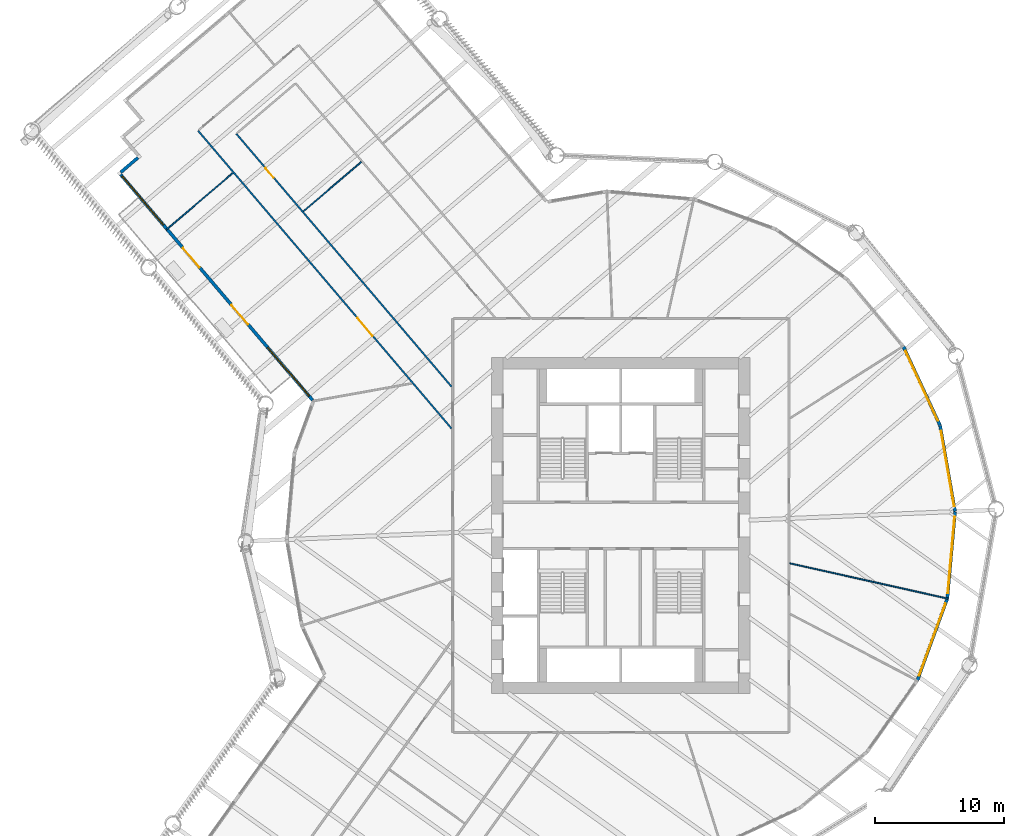
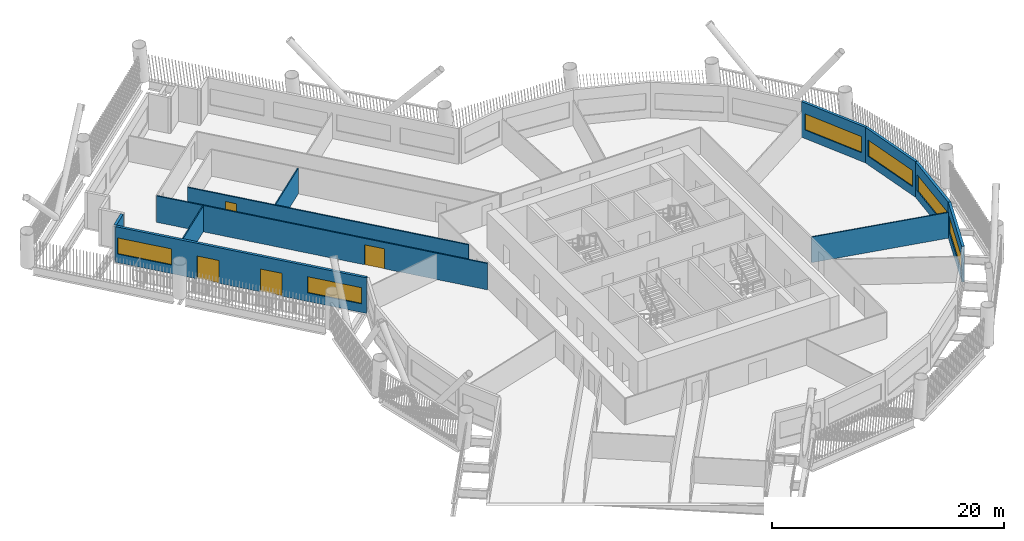
# One storey, part 6 of 21: 11 walls, 6 windows, 4 doors, 10 openings.
"""IFC4 building model written with IfcOpenShell, lengths in metres."""

from ifc_helpers import new_model, si_unit, direction, frame, frame_2d, origin, place, context, subcontext, project, spatial, rectangle, extrude, material, layer, layer_set, type_object, element, fill, save


model = new_model("IFC4")

# Units and contexts
model_context = context("Model", 3, precision=1e-05, world=origin(), true_north=direction((0.0, 1.0)))
body_context = subcontext(model_context, "Body", "Model", "MODEL_VIEW")
ifc_project = project(units=[si_unit("LENGTHUNIT", "METRE"), si_unit("AREAUNIT", "SQUARE_METRE"), si_unit("VOLUMEUNIT", "CUBIC_METRE"), si_unit("PLANEANGLEUNIT", "RADIAN"), si_unit("MASSUNIT", "GRAM", prefix="KILO")], contexts=[model_context])

# Site, building, storey
site_placement = place(None, origin())
site = spatial("IfcSite", under=ifc_project, at=site_placement, CompositionType="ELEMENT")
building_placement = place(site_placement, origin())
building = spatial("IfcBuilding", under=site, at=building_placement, Name="Tarsis Ring Headquarters", CompositionType="ELEMENT")
storey_placement = place(building_placement, frame((0.0, 0.0, 47.800048828125)))
storey = spatial("IfcBuildingStorey", under=building, at=storey_placement, Name="L09", CompositionType="ELEMENT", Elevation=47.800048828125)

# Walls
ifc_material_1 = material(Name="Gypsum board on steel studs", Category="steel")
ifc_layer_1 = layer(ifc_material_1, 0.10009765625)
ifc_layer_set_1 = layer_set([ifc_layer_1], Name="FL partition 100 unrated")
wall_type_1 = type_object("IfcWallType", Name="FL partition 100 unrated", PredefinedType="PARTITIONING", material=ifc_layer_set_1)
wall_1_placement = place(storey_placement, frame((13.068359375, -2.921142578125, 0.0), z_axis=(0.0, 0.0, 1.0), x_axis=(0.975916396905, -0.218144874455, 0.0)))
element("IfcWall", 1, at=wall_1_placement, inside=storey, type_object=wall_type_1, Name="Partition PW3", PredefinedType="PARTITIONING", context=body_context, shape_type="SweptSolid", body=[
    extrude(rectangle(XDim=12.55712890625, YDim=0.10009765625, at=frame_2d((6.278564453125, 0.0))), origin(), (0.0, 0.0, 1.0), 2.699951171875),
])
wall_2_placement = place(storey_placement, frame((-35.161376953125, 22.87646484375, 0.0), z_axis=(0.0, 0.0, 1.0), x_axis=(0.761553022761, 0.648102610335, 0.0)))
element("IfcWall", 2, at=wall_2_placement, inside=storey, type_object=wall_type_1, Name="Partition PW3", PredefinedType="PARTITIONING", context=body_context, shape_type="SweptSolid", body=[
    extrude(rectangle(XDim=6.77001953125, YDim=0.10009765625, at=frame_2d((3.385009765625, 0.0))), origin(), (0.0, 0.0, 1.0), 2.699951171875),
])
wall_3_placement = place(storey_placement, frame((-24.547119140625, 24.306640625, 0.0), z_axis=(0.0, 0.0, 1.0), x_axis=(0.761526308805, 0.648133999261, 0.0)))
element("IfcWall", 3, at=wall_3_placement, inside=storey, type_object=wall_type_1, Name="Partition PW3", PredefinedType="PARTITIONING", context=body_context, shape_type="SweptSolid", body=[
    extrude(rectangle(XDim=5.880126953125, YDim=0.10009765625, at=frame_2d((2.93994140625, 0.0))), origin(), (0.0, 0.0, 1.0), 2.699951171875),
])

# Wall, opening, door
ifc_layer_2 = layer(ifc_material_1, 0.125)
ifc_layer_set_2 = layer_set([ifc_layer_2], Name="FL partition 125 EI 60 H2770")
wall_type_2 = type_object("IfcWallType", Name="FL partition 125 EI 60 H2770", PredefinedType="PARTITIONING", material=ifc_layer_set_2)
wall_4_placement = place(storey_placement, frame((-32.700439453125, 30.53857421875, 0.0), z_axis=(0.0, 0.0, 1.0), x_axis=(0.648121119497, -0.761537270566, 0.0)))
wall_4 = element("IfcWall", 4, at=wall_4_placement, inside=storey, type_object=wall_type_2, Name="Partition PW1", PredefinedType="PARTITIONING", context=body_context, shape_type="SweptSolid", body=[
    extrude(rectangle(XDim=30.246337890625, YDim=0.125, at=frame_2d((15.123046875, 0.0))), origin(), (0.0, 0.0, 1.0), 2.77001953125),
])
opening_1_placement = place(wall_4_placement, frame((19.0361328125, 0.0, 0.0)))
opening_1 = element("IfcOpeningElement", 5, at=opening_1_placement, cuts=wall_4, Name="Opening D09.14", PredefinedType="OPENING", context=body_context, shape_type="SweptSolid", body=[
    extrude(rectangle(XDim=1.800048828125, YDim=2.10009765625, at=frame_2d((0.89990234375, 1.050048828125))), frame((0.0, 0.072509765625, 0.0), z_axis=(0.0, -1.0, 0.0), x_axis=(1.0, 0.0, 0.0)), (0.0, 0.0, 1.0), 0.14501953125),
])
ifc_material_2 = material(Name="Fire-rated timber door leaf in steel frame", Category="steel")
door_type_1 = type_object("IfcDoorType", Name="FL door FD60-1800", OperationType="DOUBLE_DOOR_SINGLE_SWING", PredefinedType="DOOR", material=ifc_material_2)
door_1_placement = place(opening_1_placement, origin())
door_1 = element("IfcDoor", 6, at=door_1_placement, inside=storey, type_object=door_type_1, Name="Door D09.14", OperationType="DOUBLE_DOOR_SINGLE_SWING", OverallHeight=2.10009765625, OverallWidth=1.800048828125, PredefinedType="DOOR", context=body_context, shape_type="SweptSolid", body=[
    extrude(rectangle(XDim=1.800048828125, YDim=2.10009765625, at=frame_2d((0.89990234375, 1.050048828125))), frame((0.0, 0.02490234375, 0.0), z_axis=(0.0, -1.0, 0.0), x_axis=(1.0, 0.0, 0.0)), (0.0, 0.0, 1.0), 0.050048828125),
])
fill(opening_1, door_1)

wall_5_placement = place(storey_placement, frame((-29.739990234375, 30.30029296875, 0.0), z_axis=(0.0, 0.0, 1.0), x_axis=(0.648121327786, -0.761537093298, 0.0)))
wall_5 = element("IfcWall", 7, at=wall_5_placement, inside=storey, type_object=wall_type_2, Name="Partition PW1", PredefinedType="PARTITIONING", context=body_context, shape_type="SweptSolid", body=[
    extrude(rectangle(XDim=25.678466796875, YDim=0.125, at=frame_2d((12.83935546875, 0.0))), origin(), (0.0, 0.0, 1.0), 2.77001953125),
])
opening_2_placement = place(wall_5_placement, frame((3.4658203125, 0.0, 0.0)))
opening_2 = element("IfcOpeningElement", 8, at=opening_2_placement, cuts=wall_5, Name="Opening D09.16", PredefinedType="OPENING", context=body_context, shape_type="SweptSolid", body=[
    extrude(rectangle(XDim=1.0, YDim=2.10009765625, at=frame_2d((0.5, 1.050048828125))), frame((0.0, 0.072509765625, 0.0), z_axis=(0.0, -1.0, 0.0), x_axis=(1.0, 0.0, 0.0)), (0.0, 0.0, 1.0), 0.14501953125),
])
door_type_2 = type_object("IfcDoorType", Name="FL door FD60-1000", OperationType="NOTDEFINED", PredefinedType="DOOR", material=ifc_material_2)
door_2_placement = place(opening_2_placement, origin())
door_2 = element("IfcDoor", 9, at=door_2_placement, inside=storey, type_object=door_type_2, Name="Door D09.16", OperationType="SINGLE_SWING_LEFT", OverallHeight=2.10009765625, OverallWidth=1.0, PredefinedType="DOOR", context=body_context, shape_type="SweptSolid", body=[
    extrude(rectangle(XDim=1.0, YDim=2.10009765625, at=frame_2d((0.5, 1.050048828125))), frame((0.0, 0.02490234375, 0.0), z_axis=(0.0, -1.0, 0.0), x_axis=(1.0, 0.0, 0.0)), (0.0, 0.0, 1.0), 0.050048828125),
])
fill(opening_2, door_2)

# Wall, openings, doors, windows
ifc_material_3 = material(Name="Terracotta clad insulated panel wall", Category="masonry")
ifc_layer_3 = layer(ifc_material_3, 0.25)
ifc_layer_set_3 = layer_set([ifc_layer_3], Name="Facade wall terracotta panel 250")
wall_type_3 = type_object("IfcWallType", Name="Facade wall terracotta panel 250", PredefinedType="STANDARD", material=ifc_layer_set_3)
wall_6_placement = place(storey_placement, frame((-38.69482421875, 27.14404296875, 0.0), z_axis=(0.0, 0.0, 1.0), x_axis=(0.648118235257, -0.761539725245, 0.0)))
wall_6 = element("IfcWall", 10, at=wall_6_placement, inside=storey, type_object=wall_type_3, Name="External wall L09-01", PredefinedType="STANDARD", context=body_context, shape_type="SweptSolid", body=[
    extrude(rectangle(XDim=22.922119140625, YDim=0.25, at=frame_2d((11.4609375, 0.0))), origin(), (0.0, 0.0, 1.0), 3.739990234375),
])
opening_3_placement = place(wall_6_placement, frame((0.17138671875, 0.0, 0.89990234375)))
opening_3 = element("IfcOpeningElement", 11, at=opening_3_placement, cuts=wall_6, Name="Opening WN05", PredefinedType="OPENING", context=body_context, shape_type="SweptSolid", body=[
    extrude(rectangle(XDim=4.949951171875, YDim=1.699951171875, at=frame_2d((2.47509765625, 0.85009765625))), frame((0.0, 0.135009765625, 0.0), z_axis=(0.0, -1.0, 0.0), x_axis=(1.0, 0.0, 0.0)), (0.0, 0.0, 1.0), 0.27001953125),
])
opening_4_placement = place(wall_6_placement, frame((7.439453125, 0.0, 0.0)))
opening_4 = element("IfcOpeningElement", 12, at=opening_4_placement, cuts=wall_6, Name="Opening L09-BD01", PredefinedType="OPENING", context=body_context, shape_type="SweptSolid", body=[
    extrude(rectangle(XDim=2.0, YDim=2.39990234375, at=frame_2d((1.0, 1.199951171875))), frame((0.0, 0.135009765625, 0.0), z_axis=(0.0, -1.0, 0.0), x_axis=(1.0, 0.0, 0.0)), (0.0, 0.0, 1.0), 0.27001953125),
])
opening_5_placement = place(wall_6_placement, frame((13.232421875, 0.0, 0.0)))
opening_5 = element("IfcOpeningElement", 13, at=opening_5_placement, cuts=wall_6, Name="Opening L09-BD02", PredefinedType="OPENING", context=body_context, shape_type="SweptSolid", body=[
    extrude(rectangle(XDim=2.0, YDim=2.39990234375, at=frame_2d((1.0, 1.199951171875))), frame((0.0, 0.135009765625, 0.0), z_axis=(0.0, -1.0, 0.0), x_axis=(1.0, 0.0, 0.0)), (0.0, 0.0, 1.0), 0.27001953125),
])
opening_6_placement = place(wall_6_placement, frame((17.550537109375, 0.0, 0.89990234375)))
opening_6 = element("IfcOpeningElement", 14, at=opening_6_placement, cuts=wall_6, Name="Opening WN05", PredefinedType="OPENING", context=body_context, shape_type="SweptSolid", body=[
    extrude(rectangle(XDim=4.949951171875, YDim=1.699951171875, at=frame_2d((2.47509765625, 0.85009765625))), frame((0.0, 0.135009765625, 0.0), z_axis=(0.0, -1.0, 0.0), x_axis=(1.0, 0.0, 0.0)), (0.0, 0.0, 1.0), 0.27001953125),
])
ifc_material_4 = material(Name="Aluminium framed double glazing", Category="aluminium")
door_type_3 = type_object("IfcDoorType", Name="Balcony sliding door 2000 x 2400", OperationType="SLIDING_TO_LEFT", PredefinedType="DOOR", material=ifc_material_4)
door_3_placement = place(opening_4_placement, origin())
door_3 = element("IfcDoor", 15, at=door_3_placement, inside=storey, type_object=door_type_3, Name="Door L09-BD01", OperationType="SINGLE_SWING_LEFT", OverallHeight=2.39990234375, OverallWidth=2.0, PredefinedType="DOOR", context=body_context, shape_type="SweptSolid", body=[
    extrude(rectangle(XDim=2.0, YDim=2.39990234375, at=frame_2d((1.0, 1.199951171875))), frame((0.0, 0.02490234375, 0.0), z_axis=(0.0, -1.0, 0.0), x_axis=(1.0, 0.0, 0.0)), (0.0, 0.0, 1.0), 0.050048828125),
])
fill(opening_4, door_3)
door_4_placement = place(opening_5_placement, origin())
door_4 = element("IfcDoor", 16, at=door_4_placement, inside=storey, type_object=door_type_3, Name="Door L09-BD02", OperationType="SINGLE_SWING_LEFT", OverallHeight=2.39990234375, OverallWidth=2.0, PredefinedType="DOOR", context=body_context, shape_type="SweptSolid", body=[
    extrude(rectangle(XDim=2.0, YDim=2.39990234375, at=frame_2d((1.0, 1.199951171875))), frame((0.0, 0.02490234375, 0.0), z_axis=(0.0, -1.0, 0.0), x_axis=(1.0, 0.0, 0.0)), (0.0, 0.0, 1.0), 0.050048828125),
])
fill(opening_5, door_4)
window_type_1 = type_object("IfcWindowType", Name="Facade window 4950 x 1700", PartitioningType="SINGLE_PANEL", PredefinedType="WINDOW", material=ifc_material_4)
window_1_placement = place(opening_3_placement, origin())
window_1 = element("IfcWindow", 17, at=window_1_placement, inside=storey, type_object=window_type_1, Name="Window L09-01.1", OverallHeight=1.699951171875, OverallWidth=4.949951171875, PartitioningType="SINGLE_PANEL", PredefinedType="WINDOW", context=body_context, shape_type="SweptSolid", body=[
    extrude(rectangle(XDim=4.949951171875, YDim=1.699951171875, at=frame_2d((2.47509765625, 0.85009765625))), frame((0.0, 0.030029296875, 0.0), z_axis=(0.0, -1.0, 0.0), x_axis=(1.0, 0.0, 0.0)), (0.0, 0.0, 1.0), 0.06005859375),
])
fill(opening_3, window_1)
window_2_placement = place(opening_6_placement, origin())
window_2 = element("IfcWindow", 18, at=window_2_placement, inside=storey, type_object=window_type_1, Name="Window L09-01.4", OverallHeight=1.699951171875, OverallWidth=4.949951171875, PartitioningType="SINGLE_PANEL", PredefinedType="WINDOW", context=body_context, shape_type="SweptSolid", body=[
    extrude(rectangle(XDim=4.949951171875, YDim=1.699951171875, at=frame_2d((2.47509765625, 0.85009765625))), frame((0.0, 0.030029296875, 0.0), z_axis=(0.0, -1.0, 0.0), x_axis=(1.0, 0.0, 0.0)), (0.0, 0.0, 1.0), 0.06005859375),
])
fill(opening_6, window_2)

# Wall, opening, window
wall_7_placement = place(storey_placement, frame((22.935302734375, -11.971923828125, 0.0), z_axis=(0.0, 0.0, 1.0), x_axis=(0.343640910875, 0.939101125744, 0.0)))
wall_7 = element("IfcWall", 19, at=wall_7_placement, inside=storey, type_object=wall_type_3, Name="External wall L09-22", PredefinedType="STANDARD", context=body_context, shape_type="SweptSolid", body=[
    extrude(rectangle(XDim=6.7216796875, YDim=0.25, at=frame_2d((3.36083984375, 0.0))), origin(), (0.0, 0.0, 1.0), 3.739990234375),
])
opening_7_placement = place(wall_7_placement, frame((0.3857421875, 0.0, 0.89990234375)))
opening_7 = element("IfcOpeningElement", 20, at=opening_7_placement, cuts=wall_7, Name="Opening WN07", PredefinedType="OPENING", context=body_context, shape_type="SweptSolid", body=[
    extrude(rectangle(XDim=5.949951171875, YDim=1.699951171875, at=frame_2d((2.97509765625, 0.85009765625))), frame((0.0, 0.135009765625, 0.0), z_axis=(0.0, -1.0, 0.0), x_axis=(1.0, 0.0, 0.0)), (0.0, 0.0, 1.0), 0.27001953125),
])
window_type_2 = type_object("IfcWindowType", Name="Facade window 5950 x 1700", PartitioningType="SINGLE_PANEL", PredefinedType="WINDOW", material=ifc_material_4)
window_3_placement = place(opening_7_placement, origin())
window_3 = element("IfcWindow", 21, at=window_3_placement, inside=storey, type_object=window_type_2, Name="Window L09-22.1", OverallHeight=1.699951171875, OverallWidth=5.949951171875, PartitioningType="SINGLE_PANEL", PredefinedType="WINDOW", context=body_context, shape_type="SweptSolid", body=[
    extrude(rectangle(XDim=5.949951171875, YDim=1.699951171875, at=frame_2d((2.97509765625, 0.85009765625))), frame((0.0, 0.030029296875, 0.0), z_axis=(0.0, -1.0, 0.0), x_axis=(1.0, 0.0, 0.0)), (0.0, 0.0, 1.0), 0.06005859375),
])
fill(opening_7, window_3)

wall_8_placement = place(storey_placement, frame((25.252197265625, -5.6279296875, 0.0), z_axis=(0.0, 0.0, 1.0), x_axis=(0.088914564402, 0.996039256374, 0.0)))
wall_8 = element("IfcWall", 22, at=wall_8_placement, inside=storey, type_object=wall_type_3, Name="External wall L09-23", PredefinedType="STANDARD", context=body_context, shape_type="SweptSolid", body=[
    extrude(rectangle(XDim=6.7216796875, YDim=0.25, at=frame_2d((3.36083984375, 0.0))), origin(), (0.0, 0.0, 1.0), 3.739990234375),
])
opening_8_placement = place(wall_8_placement, frame((0.3857421875, 0.0, 0.89990234375)))
opening_8 = element("IfcOpeningElement", 23, at=opening_8_placement, cuts=wall_8, Name="Opening WN07", PredefinedType="OPENING", context=body_context, shape_type="SweptSolid", body=[
    extrude(rectangle(XDim=5.949951171875, YDim=1.699951171875, at=frame_2d((2.97509765625, 0.85009765625))), frame((0.0, 0.135009765625, 0.0), z_axis=(0.0, -1.0, 0.0), x_axis=(1.0, 0.0, 0.0)), (0.0, 0.0, 1.0), 0.27001953125),
])
window_4_placement = place(opening_8_placement, origin())
window_4 = element("IfcWindow", 24, at=window_4_placement, inside=storey, type_object=window_type_2, Name="Window L09-23.1", OverallHeight=1.699951171875, OverallWidth=5.949951171875, PartitioningType="SINGLE_PANEL", PredefinedType="WINDOW", context=body_context, shape_type="SweptSolid", body=[
    extrude(rectangle(XDim=5.949951171875, YDim=1.699951171875, at=frame_2d((2.97509765625, 0.85009765625))), frame((0.0, 0.030029296875, 0.0), z_axis=(0.0, -1.0, 0.0), x_axis=(1.0, 0.0, 0.0)), (0.0, 0.0, 1.0), 0.06005859375),
])
fill(opening_8, window_4)

wall_9_placement = place(storey_placement, frame((25.848388671875, 1.099609375, 0.0), z_axis=(0.0, 0.0, 1.0), x_axis=(-0.171909828159, 0.985112689484, 0.0)))
wall_9 = element("IfcWall", 25, at=wall_9_placement, inside=storey, type_object=wall_type_3, Name="External wall L09-24", PredefinedType="STANDARD", context=body_context, shape_type="SweptSolid", body=[
    extrude(rectangle(XDim=6.7216796875, YDim=0.25, at=frame_2d((3.36083984375, 0.0))), origin(), (0.0, 0.0, 1.0), 3.739990234375),
])
opening_9_placement = place(wall_9_placement, frame((0.3857421875, 0.0, 0.89990234375)))
opening_9 = element("IfcOpeningElement", 26, at=opening_9_placement, cuts=wall_9, Name="Opening WN07", PredefinedType="OPENING", context=body_context, shape_type="SweptSolid", body=[
    extrude(rectangle(XDim=5.949951171875, YDim=1.699951171875, at=frame_2d((2.97509765625, 0.85009765625))), frame((0.0, 0.135009765625, 0.0), z_axis=(0.0, -1.0, 0.0), x_axis=(1.0, 0.0, 0.0)), (0.0, 0.0, 1.0), 0.27001953125),
])
window_5_placement = place(opening_9_placement, origin())
window_5 = element("IfcWindow", 27, at=window_5_placement, inside=storey, type_object=window_type_2, Name="Window L09-24.1", OverallHeight=1.699951171875, OverallWidth=5.949951171875, PartitioningType="SINGLE_PANEL", PredefinedType="WINDOW", context=body_context, shape_type="SweptSolid", body=[
    extrude(rectangle(XDim=5.949951171875, YDim=1.699951171875, at=frame_2d((2.97509765625, 0.85009765625))), frame((0.0, 0.030029296875, 0.0), z_axis=(0.0, -1.0, 0.0), x_axis=(1.0, 0.0, 0.0)), (0.0, 0.0, 1.0), 0.06005859375),
])
fill(opening_9, window_5)

wall_10_placement = place(storey_placement, frame((24.68310546875, 7.752197265625, 0.0), z_axis=(0.0, 0.0, 1.0), x_axis=(-0.421033403338, 0.907045132986, 0.0)))
wall_10 = element("IfcWall", 28, at=wall_10_placement, inside=storey, type_object=wall_type_3, Name="External wall L09-25", PredefinedType="STANDARD", context=body_context, shape_type="SweptSolid", body=[
    extrude(rectangle(XDim=6.7216796875, YDim=0.25, at=frame_2d((3.36083984375, 0.0))), origin(), (0.0, 0.0, 1.0), 3.739990234375),
])
opening_10_placement = place(wall_10_placement, frame((0.3857421875, 0.0, 0.89990234375)))
opening_10 = element("IfcOpeningElement", 29, at=opening_10_placement, cuts=wall_10, Name="Opening WN07", PredefinedType="OPENING", context=body_context, shape_type="SweptSolid", body=[
    extrude(rectangle(XDim=5.949951171875, YDim=1.699951171875, at=frame_2d((2.97509765625, 0.85009765625))), frame((0.0, 0.135009765625, 0.0), z_axis=(0.0, -1.0, 0.0), x_axis=(1.0, 0.0, 0.0)), (0.0, 0.0, 1.0), 0.27001953125),
])
window_6_placement = place(opening_10_placement, origin())
window_6 = element("IfcWindow", 30, at=window_6_placement, inside=storey, type_object=window_type_2, Name="Window L09-25.1", OverallHeight=1.699951171875, OverallWidth=5.949951171875, PartitioningType="SINGLE_PANEL", PredefinedType="WINDOW", context=body_context, shape_type="SweptSolid", body=[
    extrude(rectangle(XDim=5.949951171875, YDim=1.699951171875, at=frame_2d((2.97509765625, 0.85009765625))), frame((0.0, 0.030029296875, 0.0), z_axis=(0.0, -1.0, 0.0), x_axis=(1.0, 0.0, 0.0)), (0.0, 0.0, 1.0), 0.06005859375),
])
fill(opening_10, window_6)

# Wall
wall_11_placement = place(storey_placement, frame((-37.347900390625, 28.454345703125, 0.0), z_axis=(0.0, 0.0, 1.0), x_axis=(-0.761536459762, -0.648122072185, 0.0)))
element("IfcWall", 31, at=wall_11_placement, inside=storey, type_object=wall_type_3, Name="External wall L09-40", PredefinedType="STANDARD", context=body_context, shape_type="SweptSolid", body=[
    extrude(rectangle(XDim=1.75, YDim=0.25, at=frame_2d((0.875, 0.0))), origin(), (0.0, 0.0, 1.0), 3.739990234375),
])

save(model, "model.ifc")
